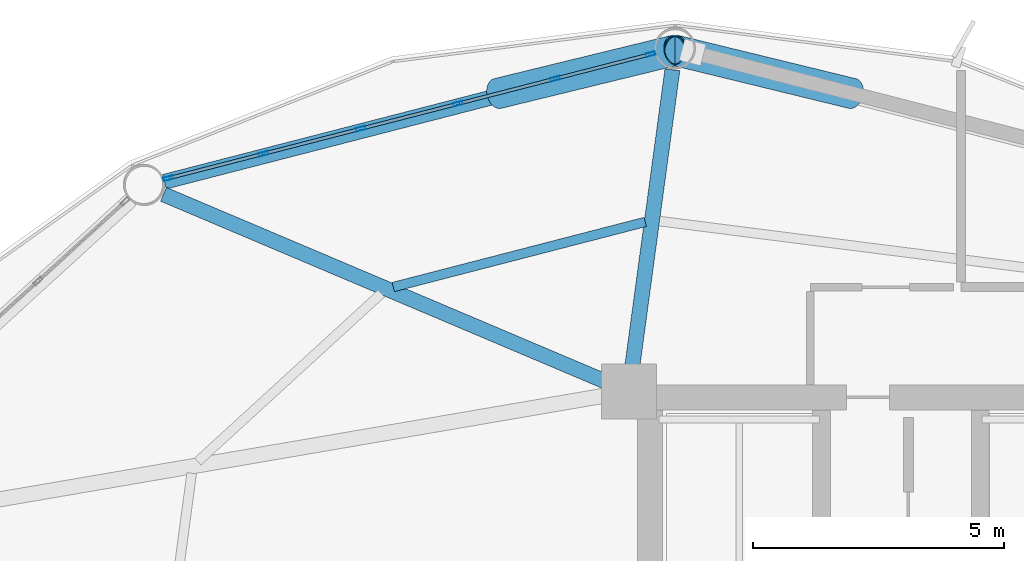
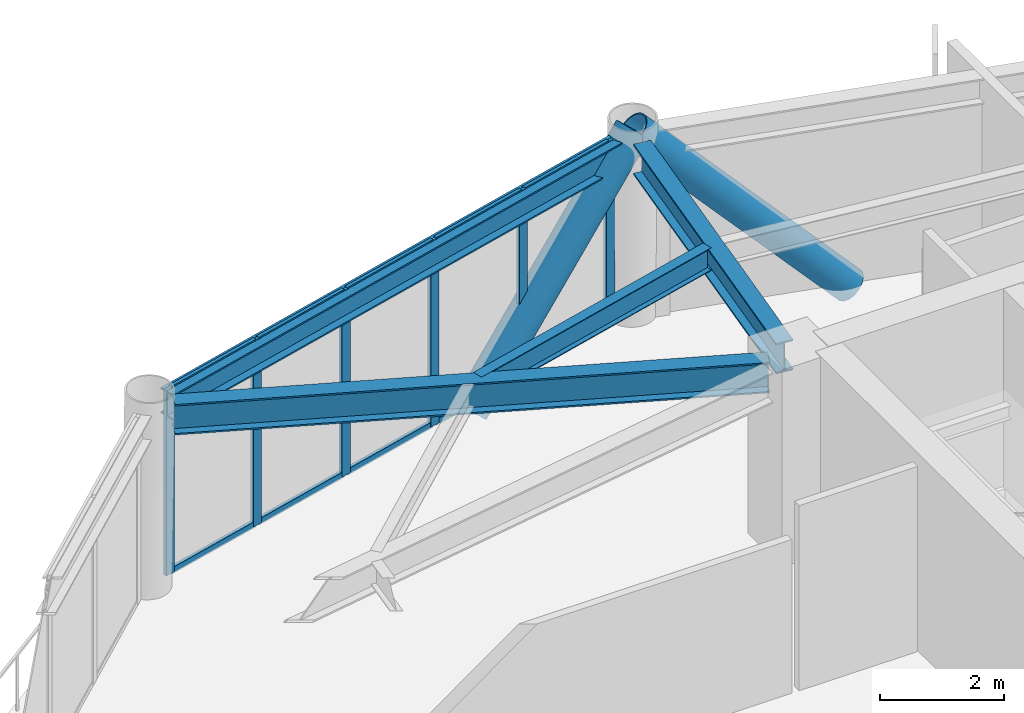
# One storey, part 16 of 24: 18 members, 4 beams, 1 element without a shape of its own.
"""IFC4 building model written with IfcOpenShell, lengths in metres."""

import ifcopenshell
import ifcopenshell.guid

model = None  # the IFC model being written
_history = None  # IfcOwnerHistory: only IFC2X3 demands one
_inside = {}  # id of a spatial element -> (the spatial element, [elements in it])
_under = {}  # id of a project, library or spatial element -> (it, [spatial elements below it])
_declared = {}  # id of a project -> (the project, [libraries it declares])
_typed = {}  # id of a type object -> (the type object, [elements of that type])
_made_of = {}  # id of a material, layer set ... -> (it, [elements and type objects made of it])


def new_model(schema):
    """Start an empty IFC model of exactly this schema.

    Asked for "IFC4X3", IfcOpenShell would pick the latest addendum, in which some entities
    have other attributes; the version numbers below select the first issue.
    IFC2X3 requires an IfcOwnerHistory on every rooted entity: one is made here for all.
    """
    global model, _history
    if schema == "IFC4X3":
        model = ifcopenshell.file(schema_version=(4, 3, 0, 0))
    else:
        model = ifcopenshell.file(schema=schema)
    _inside.clear()
    _under.clear()
    _declared.clear()
    _typed.clear()
    _made_of.clear()
    _history = None
    if model.schema == "IFC2X3":
        org = make("IfcOrganization", Name="unknown")
        user = make(
            "IfcPersonAndOrganization",
            ThePerson=make("IfcPerson", FamilyName="unknown"),
            TheOrganization=org,
        )
        app = make(
            "IfcApplication",
            ApplicationDeveloper=org,
            Version="unknown",
            ApplicationFullName="unknown",
            ApplicationIdentifier="unknown",
        )
        _history = make(
            "IfcOwnerHistory",
            OwningUser=user,
            OwningApplication=app,
            ChangeAction="ADDED",
            CreationDate=0,
        )
    return model


def make(cls, **values):
    """One entity of the class cls with the attributes given. An attribute that is None is left unset."""
    return model.create_entity(
        cls, **{name: value for name, value in values.items() if value is not None}
    )


def rooted(cls, **values):
    """An entity with a GlobalId (a new one), such as an element, a storey or a relation."""
    return make(cls, GlobalId=ifcopenshell.guid.new(), OwnerHistory=_history, **values)


def si_unit(unit_type, name, prefix=None):
    """IfcSIUnit, for example si_unit("LENGTHUNIT", "METRE", prefix="MILLI")."""
    return make("IfcSIUnit", UnitType=unit_type, Prefix=prefix, Name=name)


def assignment(units):
    """IfcUnitAssignment: the units of a project."""
    return None if units is None else make("IfcUnitAssignment", Units=units)


def point(xyz):
    """IfcCartesianPoint."""
    return None if xyz is None else make("IfcCartesianPoint", Coordinates=xyz)


def direction(xyz):
    """IfcDirection."""
    return None if xyz is None else make("IfcDirection", DirectionRatios=xyz)


def frame(location, z_axis=None, x_axis=None):
    """IfcAxis2Placement3D, a coordinate frame: its origin and axes. An axis left out is left unset."""
    return make(
        "IfcAxis2Placement3D",
        Location=point(location),
        Axis=direction(z_axis),
        RefDirection=direction(x_axis),
    )


def frame_2d(location, x_axis=None):
    """IfcAxis2Placement2D, a coordinate frame in the plane: its origin and x axis."""
    return make(
        "IfcAxis2Placement2D", Location=point(location), RefDirection=direction(x_axis)
    )


def origin():
    """The frame at (0, 0, 0) with its axes left unset."""
    return frame((0.0, 0.0, 0.0))


def origin_2d():
    """The frame at (0, 0) in the plane with its x axis left unset."""
    return frame_2d((0.0, 0.0))


def place(relative_to, where):
    """IfcLocalPlacement: puts the frame where relative to a parent placement (None: the world)."""
    return make(
        "IfcLocalPlacement", PlacementRelTo=relative_to, RelativePlacement=where
    )


def context(
    kind, dimensions, precision=None, world=None, true_north=None, identifier=None
):
    """IfcGeometricRepresentationContext, for example the 3D "Model" context."""
    return make(
        "IfcGeometricRepresentationContext",
        ContextIdentifier=identifier,
        ContextType=kind,
        CoordinateSpaceDimension=dimensions,
        Precision=precision,
        WorldCoordinateSystem=world,
        TrueNorth=true_north,
    )


def subcontext(parent, identifier, kind, view, scale=None):
    """IfcGeometricRepresentationSubContext, for example "Body" below "Model"."""
    return make(
        "IfcGeometricRepresentationSubContext",
        ContextIdentifier=identifier,
        ContextType=kind,
        ParentContext=parent,
        TargetScale=scale,
        TargetView=view,
    )


def project(units=None, contexts=None):
    """IfcProject with its units and contexts."""
    return rooted(
        "IfcProject",
        Name="project",
        RepresentationContexts=contexts,
        UnitsInContext=assignment(units),
    )


def spatial(cls, under=None, at=None, **own):
    """A site, building, storey or space (cls), placed at a placement, below another one or the project."""
    s = rooted(cls, ObjectPlacement=at, **own)
    if under is not None:
        _under.setdefault(under.id(), (under, []))[1].append(s)
    return s


def profile(cls, at=None, kind="AREA", **sizes):
    """A parametric profile (cls). Its sizes go by their IFC names, for example OverallWidth=200.0."""
    return make(cls, ProfileType=kind, Position=at, **sizes)


def hollow_rectangle(**sizes):
    """IfcRectangleHollowProfileDef."""
    return profile("IfcRectangleHollowProfileDef", **sizes)


def hollow_circle(**sizes):
    """IfcCircleHollowProfileDef."""
    return profile("IfcCircleHollowProfileDef", **sizes)


def i_section(**sizes):
    """IfcIShapeProfileDef."""
    return profile("IfcIShapeProfileDef", **sizes)


def extrude(swept, where, along, depth):
    """IfcExtrudedAreaSolid: the profile swept, set in the frame where, extruded along a direction by depth."""
    return make(
        "IfcExtrudedAreaSolid",
        SweptArea=swept,
        Position=where,
        ExtrudedDirection=direction(along),
        Depth=depth,
    )


def shape(context_of_items, identifier, shape_type, items):
    """IfcShapeRepresentation: the items that make up one representation, for example the "Body"."""
    return make(
        "IfcShapeRepresentation",
        ContextOfItems=context_of_items,
        RepresentationIdentifier=identifier,
        RepresentationType=shape_type,
        Items=items,
    )


def material(Name=None, Category=None):
    """IfcMaterial."""
    return make("IfcMaterial", Name=Name, Category=Category)


def layer(
    of_material, thickness, ventilated=None, Name=None, Category=None, Priority=None
):
    """IfcMaterialLayer: one layer of a wall or slab, of a material (None: an air gap)."""
    return make(
        "IfcMaterialLayer",
        Material=of_material,
        LayerThickness=thickness,
        IsVentilated=ventilated,
        Name=Name,
        Category=Category,
        Priority=Priority,
    )


def layer_set(layers, Name=None):
    """IfcMaterialLayerSet."""
    return make("IfcMaterialLayerSet", MaterialLayers=layers, LayerSetName=Name)


def material_profile(
    of_material, cross_section, Name=None, Category=None, Priority=None
):
    """IfcMaterialProfile: a cross section and its material."""
    return make(
        "IfcMaterialProfile",
        Name=Name,
        Material=of_material,
        Profile=cross_section,
        Priority=Priority,
        Category=Category,
    )


def profile_set(profiles, Name=None, composite=None):
    """IfcMaterialProfileSet."""
    return make(
        "IfcMaterialProfileSet",
        Name=Name,
        MaterialProfiles=profiles,
        CompositeProfile=composite,
    )


def made_of(thing, what):
    """Note that an element or type object is made of a material, layer set ...; save() writes the relation."""
    if what is not None:
        _made_of.setdefault(what.id(), (what, []))[1].append(thing)
    return thing


def type_object(cls, material=None, **own):
    """A type object (cls), such as IfcWallType, which elements share."""
    return made_of(rooted(cls, **own), material)


def element(
    cls,
    number,
    at=None,
    inside=None,
    cuts=None,
    type_object=None,
    material=None,
    context=None,
    identifier="Body",
    shape_type=None,
    held_by="IfcProductDefinitionShape",
    body=None,
    shapes=None,
    **own,
):
    """One element of the class cls, such as IfcWall. Its Tag is "e" and its number.

    at: its placement. inside: the storey or other place that contains it. cuts: it is an
    opening in that element (IfcRelVoidsElement). A single representation is given by context,
    identifier, shape_type and body (its items); several are given by shapes. held_by: the class
    of the entity that holds the representations. save() writes the other relations.
    """
    e = rooted(cls, Tag="e%d" % number, ObjectPlacement=at, **own)
    if body is not None:
        shapes = [shape(context, identifier, shape_type, body)]
    if shapes is not None:
        e.Representation = make(held_by, Representations=shapes)
    if inside is not None:
        _inside.setdefault(inside.id(), (inside, []))[1].append(e)
    if cuts is not None:
        rooted(
            "IfcRelVoidsElement", RelatingBuildingElement=cuts, RelatedOpeningElement=e
        )
    if type_object is not None:
        _typed.setdefault(type_object.id(), (type_object, []))[1].append(e)
    return made_of(e, material)


def aggregate(whole, parts):
    """IfcRelAggregates: a whole, such as a stair, and the parts it consists of."""
    return rooted("IfcRelAggregates", RelatingObject=whole, RelatedObjects=parts)


def save(model, path):
    """Write the relations noted so far, then the file.

    IfcRelAggregates (storeys below a building ...), IfcRelContainedInSpatialStructure (elements
    in a storey), IfcRelDefinesByType, IfcRelAssociatesMaterial and IfcRelDeclares: one each for
    every whole, place, type object, material and project.
    """
    for whole, parts in _under.values():
        aggregate(whole, parts)
    for where, things in _inside.values():
        rooted(
            "IfcRelContainedInSpatialStructure",
            RelatedElements=things,
            RelatingStructure=where,
        )
    for kind, things in _typed.values():
        rooted("IfcRelDefinesByType", RelatedObjects=things, RelatingType=kind)
    for what, things in _made_of.values():
        rooted("IfcRelAssociatesMaterial", RelatedObjects=things, RelatingMaterial=what)
    for by, libraries in _declared.values():
        rooted("IfcRelDeclares", RelatingContext=by, RelatedDefinitions=libraries)
    model.write(path)


model = new_model("IFC4")

# Units and contexts
model_context = context("Model", 3, precision=1e-05, world=origin(), true_north=direction((0.0, 1.0)))
body_context = subcontext(model_context, "Body", "Model", "MODEL_VIEW")
ifc_project = project(units=[si_unit("LENGTHUNIT", "METRE"), si_unit("AREAUNIT", "SQUARE_METRE"), si_unit("VOLUMEUNIT", "CUBIC_METRE"), si_unit("PLANEANGLEUNIT", "RADIAN"), si_unit("MASSUNIT", "GRAM", prefix="KILO")], contexts=[model_context])

# Site, building, storey
site_placement = place(None, origin())
site = spatial("IfcSite", under=ifc_project, at=site_placement, CompositionType="ELEMENT")
building_placement = place(site_placement, origin())
building = spatial("IfcBuilding", under=site, at=building_placement, Name="Varnakorn Sky Granary", CompositionType="ELEMENT")
storey_placement = place(building_placement, frame((0.0, 0.0, 118.800048828125)))
storey = spatial("IfcBuildingStorey", under=building, at=storey_placement, Name="L29", CompositionType="ELEMENT", Elevation=118.800048828125)

# Beams
ifc_material_1 = material(Name="Steel S355JR", Category="steel")
ifc_material_profile_1 = material_profile(ifc_material_1, i_section(OverallWidth=0.300048828125, OverallDepth=0.60009765625, WebThickness=0.015380859375, FlangeThickness=0.030029296875, at=origin_2d()), Name="HE 600 B")
ifc_profile_set_1 = profile_set([ifc_material_profile_1], Name="Steel S355JR")
beam_type_1 = type_object("IfcBeamType", Name="BM-RAD-Z2", PredefinedType="BEAM", material=ifc_profile_set_1)
beam_1_placement = place(storey_placement, frame((-2.36376953125, 13.0361328125, 3.33984375), z_axis=(0.134063527006, 0.990972739649, 0.0), x_axis=(-0.990972739649, 0.134063527006, 0.0)))
element("IfcBeam", 1, at=beam_1_placement, inside=storey, type_object=beam_type_1, Name="Radial Floor Girder RG04 L29", PredefinedType="BEAM", context=body_context, shape_type="SweptSolid", body=[
    extrude(i_section(OverallWidth=0.300048828125, OverallDepth=0.60009765625, WebThickness=0.015380859375, FlangeThickness=0.030029296875, at=origin_2d()), origin(), (0.0, 0.0, 1.0), 6.051513671875),
])
beam_2_placement = place(storey_placement, frame((-2.806640625, 12.78369140625, 3.33984375), z_axis=(-0.920797901921, 0.390040028481, 0.0), x_axis=(-0.390040028481, -0.920797901921, 0.0)))
element("IfcBeam", 2, at=beam_2_placement, inside=storey, type_object=beam_type_1, Name="Radial Floor Girder RG05 L29", PredefinedType="BEAM", context=body_context, shape_type="SweptSolid", body=[
    extrude(i_section(OverallWidth=0.300048828125, OverallDepth=0.60009765625, WebThickness=0.015380859375, FlangeThickness=0.030029296875, at=origin_2d()), origin(), (0.0, 0.0, 1.0), 9.655029296875),
])
ifc_material_profile_2 = material_profile(ifc_material_1, i_section(OverallWidth=0.18994140625, OverallDepth=0.449951171875, WebThickness=0.009521484375, FlangeThickness=0.0146484375, at=origin_2d()), Name="IPE 450")
ifc_profile_set_2 = profile_set([ifc_material_profile_2], Name="Steel S355JR")
beam_type_2 = type_object("IfcBeamType", Name="BM-SEC-Z2", PredefinedType="BEAM", material=ifc_profile_set_2)
beam_3_placement = place(storey_placement, frame((-2.093505859375, 15.99951171875, 3.4150390625), z_axis=(-0.968199406873, -0.250179752439, 0.0), x_axis=(0.250179752439, -0.968199406873, 0.0)))
element("IfcBeam", 3, at=beam_3_placement, inside=storey, type_object=beam_type_2, Name="Secondary Floor Chord Beam MSB04 L29", PredefinedType="BEAM", context=body_context, shape_type="SweptSolid", body=[
    extrude(i_section(OverallWidth=0.18994140625, OverallDepth=0.449951171875, WebThickness=0.009521484375, FlangeThickness=0.0146484375, at=origin_2d()), origin(), (0.0, 0.0, 1.0), 5.187744140625),
])
ifc_material_profile_3 = material_profile(ifc_material_1, i_section(OverallWidth=0.300048828125, OverallDepth=0.5, WebThickness=0.014404296875, FlangeThickness=0.028076171875, at=origin_2d()), Name="HE 500 B")
ifc_profile_set_3 = profile_set([ifc_material_profile_3], Name="Steel S355JR")
beam_type_3 = type_object("IfcBeamType", Name="BM-SPD-Z2", PredefinedType="SPANDREL", material=ifc_profile_set_3)
beam_4_placement = place(storey_placement, frame((-1.879150390625, 19.323486328125, 3.389892578125), z_axis=(-0.968400922479, -0.249398583279, 0.0), x_axis=(0.249398583279, -0.968400922479, 0.0)))
element("IfcBeam", 4, at=beam_4_placement, inside=storey, type_object=beam_type_3, Name="Perimeter Spandrel Ring Beam RB04 L29", PredefinedType="SPANDREL", context=body_context, shape_type="SweptSolid", body=[
    extrude(i_section(OverallWidth=0.300048828125, OverallDepth=0.5, WebThickness=0.014404296875, FlangeThickness=0.028076171875, at=origin_2d()), origin(), (0.0, 0.0, 1.0), 10.119140625),
])

# Curtain wall, members
ifc_material_2 = material(Name="Anodised Bronze Aluminium Alloy 6063-T6", Category="aluminium")
ifc_layer = layer(ifc_material_2, 0.179931640625, Name="Anodised Bronze Aluminium Alloy 6063-T6")
ifc_layer_set = layer_set([ifc_layer], Name="Anodised Bronze Aluminium Alloy 6063-T6")
curtain_wall_type = type_object("IfcCurtainWallType", Name="CW-FRM-2", PredefinedType="USERDEFINED", material=ifc_layer_set)
curtain_wall_placement = place(storey_placement, origin())
curtain_wall = element("IfcCurtainWall", 5, at=curtain_wall_placement, inside=storey, type_object=curtain_wall_type, Name="Unitised Curtain Wall CW4 CW-L29-B04", ObjectType="CURTAIN WALL", PredefinedType="USERDEFINED")
ifc_material_profile_4 = material_profile(ifc_material_2, hollow_rectangle(XDim=0.070068359375, YDim=0.18505859375, WallThickness=0.00390625, at=origin_2d()), Name="ALU MULL 70x185")
ifc_profile_set_4 = profile_set([ifc_material_profile_4], Name="Anodised Bronze Aluminium Alloy 6063-T6")
member_type_1 = type_object("IfcMemberType", Name="CW-FRM-2-MULL", PredefinedType="MULLION", material=ifc_profile_set_4)
member_1_placement = place(storey_placement, frame((-11.605224609375, 16.86865234375, 0.0), z_axis=(0.0, 0.0, 1.0), x_axis=(-0.249196159106, 0.968453031534, 0.0)))
member_1 = element("IfcMember", 6, at=member_1_placement, type_object=member_type_1, Name="CW4 mullion 1", PredefinedType="MULLION", context=body_context, shape_type="SweptSolid", body=[
    extrude(hollow_rectangle(XDim=0.070068359375, YDim=0.18505859375, WallThickness=0.00390625, at=origin_2d()), origin(), (0.0, 0.0, 1.0), 3.639892578125),
])
member_2_placement = place(storey_placement, frame((-9.70166015625, 17.358642578125, 0.0), z_axis=(0.0, 0.0, 1.0), x_axis=(-0.249196159106, 0.968453031534, 0.0)))
member_2 = element("IfcMember", 7, at=member_2_placement, type_object=member_type_1, Name="CW4 mullion 2", PredefinedType="MULLION", context=body_context, shape_type="SweptSolid", body=[
    extrude(hollow_rectangle(XDim=0.070068359375, YDim=0.18505859375, WallThickness=0.00390625, at=origin_2d()), origin(), (0.0, 0.0, 1.0), 3.639892578125),
])
member_3_placement = place(storey_placement, frame((-7.76416015625, 17.857177734375, 0.0), z_axis=(0.0, 0.0, 1.0), x_axis=(-0.249196159106, 0.968453031534, 0.0)))
member_3 = element("IfcMember", 8, at=member_3_placement, type_object=member_type_1, Name="CW4 mullion 3", PredefinedType="MULLION", context=body_context, shape_type="SweptSolid", body=[
    extrude(hollow_rectangle(XDim=0.070068359375, YDim=0.18505859375, WallThickness=0.00390625, at=origin_2d()), origin(), (0.0, 0.0, 1.0), 3.639892578125),
])
member_4_placement = place(storey_placement, frame((-5.82666015625, 18.355712890625, 0.0), z_axis=(0.0, 0.0, 1.0), x_axis=(-0.249196159106, 0.968453031534, 0.0)))
member_4 = element("IfcMember", 9, at=member_4_placement, type_object=member_type_1, Name="CW4 mullion 4", PredefinedType="MULLION", context=body_context, shape_type="SweptSolid", body=[
    extrude(hollow_rectangle(XDim=0.070068359375, YDim=0.18505859375, WallThickness=0.00390625, at=origin_2d()), origin(), (0.0, 0.0, 1.0), 3.639892578125),
])
member_5_placement = place(storey_placement, frame((-3.88916015625, 18.854248046875, 0.0), z_axis=(0.0, 0.0, 1.0), x_axis=(-0.249196159106, 0.968453031534, 0.0)))
member_5 = element("IfcMember", 10, at=member_5_placement, type_object=member_type_1, Name="CW4 mullion 5", PredefinedType="MULLION", context=body_context, shape_type="SweptSolid", body=[
    extrude(hollow_rectangle(XDim=0.070068359375, YDim=0.18505859375, WallThickness=0.00390625, at=origin_2d()), origin(), (0.0, 0.0, 1.0), 3.639892578125),
])
member_6_placement = place(storey_placement, frame((-1.985595703125, 19.343994140625, 0.0), z_axis=(0.0, 0.0, 1.0), x_axis=(-0.249196159106, 0.968453031534, 0.0)))
member_6 = element("IfcMember", 11, at=member_6_placement, type_object=member_type_1, Name="CW4 mullion 6", PredefinedType="MULLION", context=body_context, shape_type="SweptSolid", body=[
    extrude(hollow_rectangle(XDim=0.070068359375, YDim=0.18505859375, WallThickness=0.00390625, at=origin_2d()), origin(), (0.0, 0.0, 1.0), 3.639892578125),
])
ifc_material_profile_5 = material_profile(ifc_material_2, hollow_rectangle(XDim=0.06494140625, YDim=0.1201171875, WallThickness=0.00341796875, at=origin_2d()), Name="ALU TRAN 65x120")
ifc_profile_set_5 = profile_set([ifc_material_profile_5], Name="Anodised Bronze Aluminium Alloy 6063-T6")
member_type_2 = type_object("IfcMemberType", Name="CW-FRM-2-TRAN", PredefinedType="USERDEFINED", material=ifc_profile_set_5)
member_7_placement = place(storey_placement, frame((-11.5712890625, 16.87744140625, 0.032470703125), z_axis=(0.968444984601, 0.249227429871, 0.0), x_axis=(-0.249227429871, 0.968444984601, 0.0)))
member_7 = element("IfcMember", 12, at=member_7_placement, type_object=member_type_2, Name="CW4 transom 1.1", ObjectType="TRANSOM", PredefinedType="USERDEFINED", context=body_context, shape_type="SweptSolid", body=[
    extrude(hollow_rectangle(XDim=0.06494140625, YDim=0.1201171875, WallThickness=0.00341796875, at=origin_2d()), origin(), (0.0, 0.0, 1.0), 1.8955078125),
])
member_8_placement = place(storey_placement, frame((-11.5712890625, 16.87744140625, 3.607421875), z_axis=(0.968444984601, 0.249227429871, 0.0), x_axis=(-0.249227429871, 0.968444984601, 0.0)))
member_8 = element("IfcMember", 13, at=member_8_placement, type_object=member_type_2, Name="CW4 transom 1.2", ObjectType="TRANSOM", PredefinedType="USERDEFINED", context=body_context, shape_type="SweptSolid", body=[
    extrude(hollow_rectangle(XDim=0.06494140625, YDim=0.1201171875, WallThickness=0.00341796875, at=origin_2d()), origin(), (0.0, 0.0, 1.0), 1.8955078125),
])
member_9_placement = place(storey_placement, frame((-9.667724609375, 17.3671875, 0.032470703125), z_axis=(0.968438006028, 0.249254545558, 0.0), x_axis=(-0.249254545558, 0.968438006028, 0.0)))
member_9 = element("IfcMember", 14, at=member_9_placement, type_object=member_type_2, Name="CW4 transom 2.1", ObjectType="TRANSOM", PredefinedType="USERDEFINED", context=body_context, shape_type="SweptSolid", body=[
    extrude(hollow_rectangle(XDim=0.06494140625, YDim=0.1201171875, WallThickness=0.00341796875, at=origin_2d()), origin(), (0.0, 0.0, 1.0), 1.9306640625),
])
member_10_placement = place(storey_placement, frame((-9.667724609375, 17.3671875, 3.607421875), z_axis=(0.968438006028, 0.249254545558, 0.0), x_axis=(-0.249254545558, 0.968438006028, 0.0)))
member_10 = element("IfcMember", 15, at=member_10_placement, type_object=member_type_2, Name="CW4 transom 2.2", ObjectType="TRANSOM", PredefinedType="USERDEFINED", context=body_context, shape_type="SweptSolid", body=[
    extrude(hollow_rectangle(XDim=0.06494140625, YDim=0.1201171875, WallThickness=0.00341796875, at=origin_2d()), origin(), (0.0, 0.0, 1.0), 1.9306640625),
])
member_11_placement = place(storey_placement, frame((-7.730224609375, 17.86572265625, 0.032470703125), z_axis=(0.968438006028, 0.249254545558, 0.0), x_axis=(-0.249254545558, 0.968438006028, 0.0)))
member_11 = element("IfcMember", 16, at=member_11_placement, type_object=member_type_2, Name="CW4 transom 3.1", ObjectType="TRANSOM", PredefinedType="USERDEFINED", context=body_context, shape_type="SweptSolid", body=[
    extrude(hollow_rectangle(XDim=0.06494140625, YDim=0.1201171875, WallThickness=0.00341796875, at=origin_2d()), origin(), (0.0, 0.0, 1.0), 1.9306640625),
])
member_12_placement = place(storey_placement, frame((-7.730224609375, 17.86572265625, 3.607421875), z_axis=(0.968438006028, 0.249254545558, 0.0), x_axis=(-0.249254545558, 0.968438006028, 0.0)))
member_12 = element("IfcMember", 17, at=member_12_placement, type_object=member_type_2, Name="CW4 transom 3.2", ObjectType="TRANSOM", PredefinedType="USERDEFINED", context=body_context, shape_type="SweptSolid", body=[
    extrude(hollow_rectangle(XDim=0.06494140625, YDim=0.1201171875, WallThickness=0.00341796875, at=origin_2d()), origin(), (0.0, 0.0, 1.0), 1.9306640625),
])
member_13_placement = place(storey_placement, frame((-5.79296875, 18.3642578125, 0.032470703125), z_axis=(0.968445861329, 0.249224023068, 0.0), x_axis=(-0.249224023068, 0.968445861329, 0.0)))
member_13 = element("IfcMember", 18, at=member_13_placement, type_object=member_type_2, Name="CW4 transom 4.1", ObjectType="TRANSOM", PredefinedType="USERDEFINED", context=body_context, shape_type="SweptSolid", body=[
    extrude(hollow_rectangle(XDim=0.06494140625, YDim=0.1201171875, WallThickness=0.00341796875, at=origin_2d()), origin(), (0.0, 0.0, 1.0), 1.930908203125),
])
member_14_placement = place(storey_placement, frame((-5.79296875, 18.3642578125, 3.607421875), z_axis=(0.968445861329, 0.249224023068, 0.0), x_axis=(-0.249224023068, 0.968445861329, 0.0)))
member_14 = element("IfcMember", 19, at=member_14_placement, type_object=member_type_2, Name="CW4 transom 4.2", ObjectType="TRANSOM", PredefinedType="USERDEFINED", context=body_context, shape_type="SweptSolid", body=[
    extrude(hollow_rectangle(XDim=0.06494140625, YDim=0.1201171875, WallThickness=0.00341796875, at=origin_2d()), origin(), (0.0, 0.0, 1.0), 1.930908203125),
])
member_15_placement = place(storey_placement, frame((-3.85546875, 18.86279296875, 0.032470703125), z_axis=(0.96845298341, 0.24919634613, 0.0), x_axis=(-0.24919634613, 0.96845298341, 0.0)))
member_15 = element("IfcMember", 20, at=member_15_placement, type_object=member_type_2, Name="CW4 transom 5.1", ObjectType="TRANSOM", PredefinedType="USERDEFINED", context=body_context, shape_type="SweptSolid", body=[
    extrude(hollow_rectangle(XDim=0.06494140625, YDim=0.1201171875, WallThickness=0.00341796875, at=origin_2d()), origin(), (0.0, 0.0, 1.0), 1.895751953125),
])
member_16_placement = place(storey_placement, frame((-3.85546875, 18.86279296875, 3.607421875), z_axis=(0.96845298341, 0.24919634613, 0.0), x_axis=(-0.24919634613, 0.96845298341, 0.0)))
member_16 = element("IfcMember", 21, at=member_16_placement, type_object=member_type_2, Name="CW4 transom 5.2", ObjectType="TRANSOM", PredefinedType="USERDEFINED", context=body_context, shape_type="SweptSolid", body=[
    extrude(hollow_rectangle(XDim=0.06494140625, YDim=0.1201171875, WallThickness=0.00341796875, at=origin_2d()), origin(), (0.0, 0.0, 1.0), 1.895751953125),
])
aggregate(curtain_wall, [member_1, member_2, member_3, member_4, member_5, member_6, member_7, member_8, member_9, member_10, member_11, member_12, member_13, member_14, member_15, member_16])

# Members
ifc_material_3 = material(Name="Steel S460M", Category="steel")
ifc_material_profile_6 = material_profile(ifc_material_3, hollow_circle(Radius=0.304931640625, WallThickness=0.022216796875, at=origin_2d()), Name="CHS 610x22")
ifc_profile_set_6 = profile_set([ifc_material_profile_6], Name="Steel S460M")
member_type_3 = type_object("IfcMemberType", Name="MB-DIAG-T1", PredefinedType="BRACE", material=ifc_profile_set_6)
for number, where, z_axis, x_axis, name in (
    (22, (2.0302734375, 18.560546875, -0.130126953125), (-0.674226231, 0.164313501939, 0.720013932165), (-0.236776751922, -0.971564084221, 0.0), "Perimeter CHS Diagrid Brace DG03 L29"),
    (23, (-5.0302734375, 18.560546875, -0.130126953125), (0.674226231, 0.164313501939, 0.720013932165), (-0.236776751922, 0.971564084221, 0.0), "Perimeter CHS Diagrid Brace DG04 L29"),
):
    element("IfcMember", number, at=place(storey_placement, frame(where, z_axis=z_axis, x_axis=x_axis)), inside=storey, type_object=member_type_3, Name=name, PredefinedType="BRACE", context=body_context, shape_type="SweptSolid", body=[
        extrude(hollow_circle(Radius=0.304931640625, WallThickness=0.022216796875, at=origin_2d()), origin(), (0.0, 0.0, 1.0), 5.236083984375),
    ])

save(model, "model.ifc")
